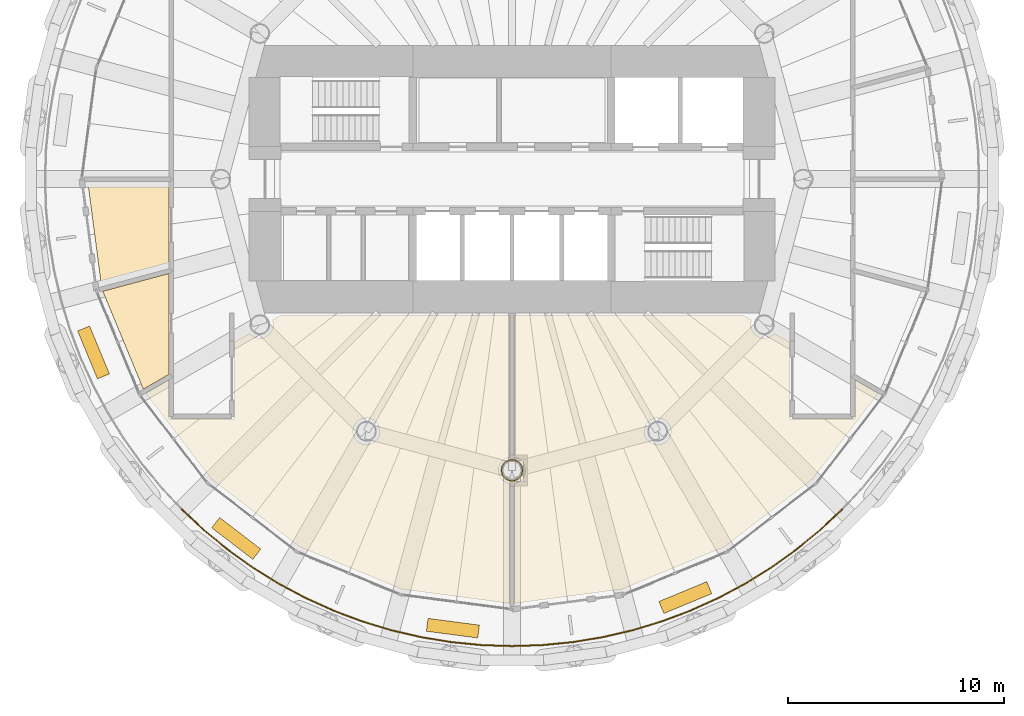
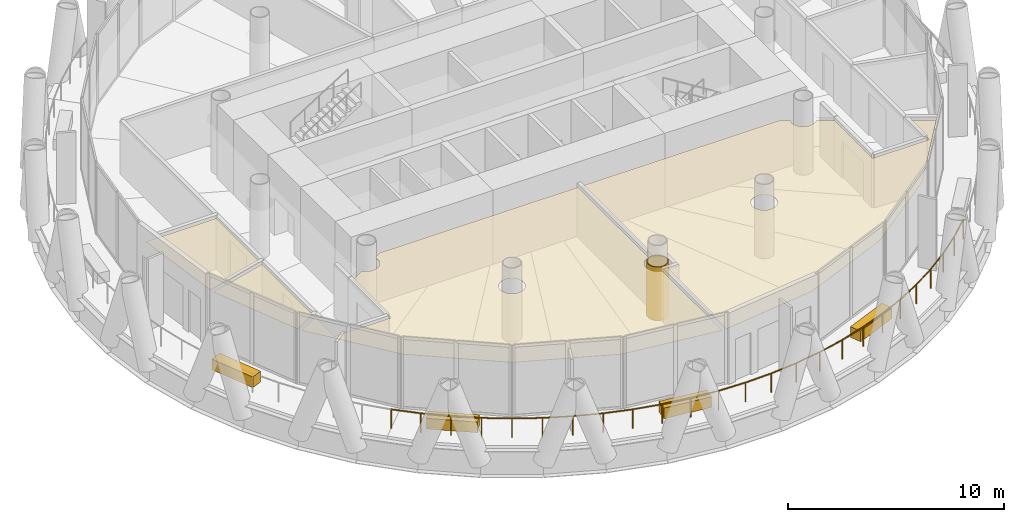
# One storey, part 12 of 14: 9 coverings, 1 railing.
"""IFC4 building model written with IfcOpenShell, lengths in metres."""

from ifc_helpers import new_model, si_unit, direction, frame, origin, origin_2d, place, context, subcontext, project, spatial, polyline, rectangle, circle, outline, extrude, material, layer, layer_set, type_object, element, save


model = new_model("IFC4")

# Units and contexts
model_context = context("Model", 3, precision=1e-05, world=origin(), true_north=direction((0.0, 1.0)))
body_context = subcontext(model_context, "Body", "Model", "MODEL_VIEW")
ifc_project = project(units=[si_unit("LENGTHUNIT", "METRE"), si_unit("AREAUNIT", "SQUARE_METRE"), si_unit("VOLUMEUNIT", "CUBIC_METRE"), si_unit("PLANEANGLEUNIT", "RADIAN"), si_unit("MASSUNIT", "GRAM", prefix="KILO")], contexts=[model_context])

# Site, building, storey
site_placement = place(None, origin())
site = spatial("IfcSite", under=ifc_project, at=site_placement, CompositionType="ELEMENT")
building_placement = place(site_placement, origin())
building = spatial("IfcBuilding", under=site, at=building_placement, Name="Qaws Media Tower", CompositionType="ELEMENT")
storey_placement = place(building_placement, frame((0.0, 0.0, 248.60009765625)))
storey = spatial("IfcBuildingStorey", under=building, at=storey_placement, Name="L57", CompositionType="ELEMENT", Elevation=248.60009765625)

# Railing
ifc_material_1 = material(Name="Stainless steel and glass guard", Category="steel")
railing_type = type_object("IfcRailingType", Name="Balcony guard 1100", PredefinedType="GUARDRAIL", material=ifc_material_1)
railing_placement = place(storey_placement, frame((44.691162109375, 34.691162109375, 0.0)))
element("IfcRailing", 1, at=railing_placement, inside=storey, type_object=railing_type, Name="GR1 balcony guard L57-3", PredefinedType="GUARDRAIL", context=body_context, shape_type="SweptSolid", body=[
    extrude(circle(Radius=0.02392578125, at=origin_2d()), frame((0.0, 0.0, 1.076171875), z_axis=(0.729821970773, -0.683637251017, 0.0), x_axis=(0.683637251017, 0.729821970773, 0.0)), (0.0, 0.0, 1.0), 1.416748046875),
    extrude(circle(Radius=0.02392578125, at=origin_2d()), frame((1.033935546875, -0.968505859375, 1.076171875), z_axis=(0.773058202791, -0.634335096851, 0.0), x_axis=(0.634335096851, 0.773058202791, 0.0)), (0.0, 0.0, 1.0), 1.416748046875),
    extrude(circle(Radius=0.02392578125, at=origin_2d()), frame((2.129150390625, -1.8671875, 1.076171875), z_axis=(0.812859281779, -0.582460117111, 0.0), x_axis=(0.582460117111, 0.812859281779, 0.0)), (0.0, 0.0, 1.0), 1.416748046875),
    extrude(circle(Radius=0.02392578125, at=origin_2d()), frame((3.28076171875, -2.6923828125, 1.076171875), z_axis=(0.849157927027, -0.528139011026, 0.0), x_axis=(0.528139011026, 0.849157927027, 0.0)), (0.0, 0.0, 1.0), 1.416748046875),
    extrude(circle(Radius=0.02392578125, at=origin_2d()), frame((4.48388671875, -3.440673828125, 1.076171875), z_axis=(0.881966251101, -0.471312562869, 0.0), x_axis=(0.471312562869, 0.881966251101, 0.0)), (0.0, 0.0, 1.0), 1.416748046875),
    extrude(circle(Radius=0.02392578125, at=origin_2d()), frame((5.7333984375, -4.1083984375, 1.076171875), z_axis=(0.910838060155, -0.412763889134, 0.0), x_axis=(0.412763889134, 0.910838060155, 0.0)), (0.0, 0.0, 1.0), 1.41650390625),
    extrude(circle(Radius=0.02392578125, at=origin_2d()), frame((7.023681640625, -4.693115234375, 1.076171875), z_axis=(0.935910679423, -0.352237420133, 0.0), x_axis=(0.352237420133, 0.935910679423, 0.0)), (0.0, 0.0, 1.0), 1.416748046875),
    extrude(circle(Radius=0.02392578125, at=origin_2d()), frame((8.349609375, -5.192138671875, 1.076171875), z_axis=(0.95691563825, -0.290366081479, 0.0), x_axis=(0.290366081479, 0.95691563825, 0.0)), (0.0, 0.0, 1.0), 1.416748046875),
    extrude(circle(Radius=0.02392578125, at=origin_2d()), frame((9.705322265625, -5.603515625, 1.076171875), z_axis=(0.97390979977, -0.22693545759, 0.0), x_axis=(0.22693545759, 0.97390979977, 0.0)), (0.0, 0.0, 1.0), 1.416748046875),
    extrude(circle(Radius=0.02392578125, at=origin_2d()), frame((11.085205078125, -5.925048828125, 1.076171875), z_axis=(0.986621201515, -0.163029459674, 0.0), x_axis=(0.163029459674, 0.986621201515, 0.0)), (0.0, 0.0, 1.0), 1.416748046875),
    extrude(circle(Radius=0.02392578125, at=origin_2d()), frame((12.48291015625, -6.156005859375, 1.076171875), z_axis=(0.995181159943, -0.098053347187, 0.0), x_axis=(0.098053347187, 0.995181159943, 0.0)), (0.0, 0.0, 1.0), 1.416748046875),
    extrude(circle(Radius=0.02392578125, at=origin_2d()), frame((13.892822265625, -6.294921875, 1.076171875), z_axis=(0.999469492017, -0.032568919654, 0.0), x_axis=(0.032568919654, 0.999469492017, 0.0)), (0.0, 0.0, 1.0), 1.416748046875),
    extrude(circle(Radius=0.02392578125, at=origin_2d()), frame((15.308837890625, -6.341064453125, 1.076171875), z_axis=(0.999469492017, 0.032568919654, 0.0), x_axis=(-0.032568919654, 0.999469492017, 0.0)), (0.0, 0.0, 1.0), 1.416748046875),
    extrude(circle(Radius=0.02392578125, at=origin_2d()), frame((16.724853515625, -6.294921875, 1.076171875), z_axis=(0.995181159943, 0.098053347187, 0.0), x_axis=(-0.098053347187, 0.995181159943, 0.0)), (0.0, 0.0, 1.0), 1.416748046875),
    extrude(circle(Radius=0.02392578125, at=origin_2d()), frame((18.134765625, -6.156005859375, 1.076171875), z_axis=(0.986621201515, 0.163029459674, 0.0), x_axis=(-0.163029459674, 0.986621201515, 0.0)), (0.0, 0.0, 1.0), 1.416748046875),
    extrude(circle(Radius=0.02392578125, at=origin_2d()), frame((19.532470703125, -5.925048828125, 1.076171875), z_axis=(0.97390979977, 0.22693545759, 0.0), x_axis=(-0.22693545759, 0.97390979977, 0.0)), (0.0, 0.0, 1.0), 1.416748046875),
    extrude(circle(Radius=0.02392578125, at=origin_2d()), frame((20.912353515625, -5.603515625, 1.076171875), z_axis=(0.95691563825, 0.290366081479, 0.0), x_axis=(-0.290366081479, 0.95691563825, 0.0)), (0.0, 0.0, 1.0), 1.416748046875),
    extrude(circle(Radius=0.02392578125, at=origin_2d()), frame((22.26806640625, -5.192138671875, 1.076171875), z_axis=(0.935910679423, 0.352237420133, 0.0), x_axis=(-0.352237420133, 0.935910679423, 0.0)), (0.0, 0.0, 1.0), 1.416748046875),
    extrude(circle(Radius=0.02392578125, at=origin_2d()), frame((23.593994140625, -4.693115234375, 1.076171875), z_axis=(0.910838060155, 0.412763889134, 0.0), x_axis=(-0.412763889134, 0.910838060155, 0.0)), (0.0, 0.0, 1.0), 1.41650390625),
    extrude(circle(Radius=0.02392578125, at=origin_2d()), frame((24.88427734375, -4.1083984375, 1.076171875), z_axis=(0.881966251101, 0.471312562869, 0.0), x_axis=(-0.471312562869, 0.881966251101, 0.0)), (0.0, 0.0, 1.0), 1.416748046875),
    extrude(circle(Radius=0.02392578125, at=origin_2d()), frame((26.1337890625, -3.440673828125, 1.076171875), z_axis=(0.849157927027, 0.528139011026, 0.0), x_axis=(-0.528139011026, 0.849157927027, 0.0)), (0.0, 0.0, 1.0), 1.416748046875),
    extrude(circle(Radius=0.02392578125, at=origin_2d()), frame((27.3369140625, -2.6923828125, 1.076171875), z_axis=(0.812859281779, 0.582460117111, 0.0), x_axis=(-0.582460117111, 0.812859281779, 0.0)), (0.0, 0.0, 1.0), 1.416748046875),
    extrude(circle(Radius=0.02392578125, at=origin_2d()), frame((28.488525390625, -1.8671875, 1.076171875), z_axis=(0.773058202791, 0.634335096851, 0.0), x_axis=(-0.634335096851, 0.773058202791, 0.0)), (0.0, 0.0, 1.0), 1.416748046875),
    extrude(circle(Radius=0.02392578125, at=origin_2d()), frame((29.583740234375, -0.968505859375, 1.076171875), z_axis=(0.729821970773, 0.683637251017, 0.0), x_axis=(-0.683637251017, 0.729821970773, 0.0)), (0.0, 0.0, 1.0), 1.416748046875),
    extrude(circle(Radius=0.02099609375, at=origin_2d()), origin(), (0.0, 0.0, 1.0), 1.052001953125),
    extrude(circle(Radius=0.02099609375, at=origin_2d()), frame((1.033935546875, -0.968505859375, 0.0)), (0.0, 0.0, 1.0), 1.052001953125),
    extrude(circle(Radius=0.02099609375, at=origin_2d()), frame((2.129150390625, -1.8671875, 0.0)), (0.0, 0.0, 1.0), 1.052001953125),
    extrude(circle(Radius=0.02099609375, at=origin_2d()), frame((3.28076171875, -2.6923828125, 0.0)), (0.0, 0.0, 1.0), 1.052001953125),
    extrude(circle(Radius=0.02099609375, at=origin_2d()), frame((4.48388671875, -3.440673828125, 0.0)), (0.0, 0.0, 1.0), 1.052001953125),
    extrude(circle(Radius=0.02099609375, at=origin_2d()), frame((5.7333984375, -4.1083984375, 0.0)), (0.0, 0.0, 1.0), 1.052001953125),
    extrude(circle(Radius=0.02099609375, at=origin_2d()), frame((7.023681640625, -4.693115234375, 0.0)), (0.0, 0.0, 1.0), 1.052001953125),
    extrude(circle(Radius=0.02099609375, at=origin_2d()), frame((8.349609375, -5.192138671875, 0.0)), (0.0, 0.0, 1.0), 1.052001953125),
    extrude(circle(Radius=0.02099609375, at=origin_2d()), frame((9.705322265625, -5.603515625, 0.0)), (0.0, 0.0, 1.0), 1.052001953125),
    extrude(circle(Radius=0.02099609375, at=origin_2d()), frame((11.085205078125, -5.925048828125, 0.0)), (0.0, 0.0, 1.0), 1.052001953125),
    extrude(circle(Radius=0.02099609375, at=origin_2d()), frame((12.48291015625, -6.156005859375, 0.0)), (0.0, 0.0, 1.0), 1.052001953125),
    extrude(circle(Radius=0.02099609375, at=origin_2d()), frame((13.892822265625, -6.294921875, 0.0)), (0.0, 0.0, 1.0), 1.052001953125),
    extrude(circle(Radius=0.02099609375, at=origin_2d()), frame((15.308837890625, -6.341064453125, 0.0)), (0.0, 0.0, 1.0), 1.052001953125),
    extrude(circle(Radius=0.02099609375, at=origin_2d()), frame((16.724853515625, -6.294921875, 0.0)), (0.0, 0.0, 1.0), 1.052001953125),
    extrude(circle(Radius=0.02099609375, at=origin_2d()), frame((18.134765625, -6.156005859375, 0.0)), (0.0, 0.0, 1.0), 1.052001953125),
    extrude(circle(Radius=0.02099609375, at=origin_2d()), frame((19.532470703125, -5.925048828125, 0.0)), (0.0, 0.0, 1.0), 1.052001953125),
    extrude(circle(Radius=0.02099609375, at=origin_2d()), frame((20.912353515625, -5.603515625, 0.0)), (0.0, 0.0, 1.0), 1.052001953125),
    extrude(circle(Radius=0.02099609375, at=origin_2d()), frame((22.26806640625, -5.192138671875, 0.0)), (0.0, 0.0, 1.0), 1.052001953125),
    extrude(circle(Radius=0.02099609375, at=origin_2d()), frame((23.593994140625, -4.693115234375, 0.0)), (0.0, 0.0, 1.0), 1.052001953125),
    extrude(circle(Radius=0.02099609375, at=origin_2d()), frame((24.88427734375, -4.1083984375, 0.0)), (0.0, 0.0, 1.0), 1.052001953125),
    extrude(circle(Radius=0.02099609375, at=origin_2d()), frame((26.1337890625, -3.440673828125, 0.0)), (0.0, 0.0, 1.0), 1.052001953125),
    extrude(circle(Radius=0.02099609375, at=origin_2d()), frame((27.3369140625, -2.6923828125, 0.0)), (0.0, 0.0, 1.0), 1.052001953125),
    extrude(circle(Radius=0.02099609375, at=origin_2d()), frame((28.488525390625, -1.8671875, 0.0)), (0.0, 0.0, 1.0), 1.052001953125),
    extrude(circle(Radius=0.02099609375, at=origin_2d()), frame((29.583740234375, -0.968505859375, 0.0)), (0.0, 0.0, 1.0), 1.052001953125),
    extrude(circle(Radius=0.02099609375, at=origin_2d()), frame((30.61767578125, 0.0, 0.0)), (0.0, 0.0, 1.0), 1.052001953125),
])

# Coverings
ifc_material_2 = material(Name="Two layers 15 fire-rated gypsum board on steel framing", Category="steel")
ifc_layer_1 = layer(ifc_material_2, 0.050048828125)
ifc_layer_set_1 = layer_set([ifc_layer_1], Name="Column fire casing")
covering_type_1 = type_object("IfcCoveringType", Name="Column fire casing", PredefinedType="CLADDING", material=ifc_layer_set_1)
covering_1_placement = place(storey_placement, origin())
element("IfcCovering", 2, at=covering_1_placement, inside=storey, type_object=covering_type_1, Name="CC1 column casing L57", PredefinedType="CLADDING", context=body_context, shape_type="SweptSolid", body=[
    extrude(outline(polyline([(60.511962890625, 36.5), (60.507568359375, 36.43310546875), (60.49462890625, 36.367431640625), (60.472900390625, 36.30419921875), (60.443359375, 36.243896484375), (60.40625, 36.188232421875), (60.362060546875, 36.137939453125), (60.311767578125, 36.09375), (60.256103515625, 36.056640625), (60.19580078125, 36.027099609375), (60.132568359375, 36.00537109375), (60.06689453125, 35.992431640625), (60.0, 35.988037109375), (59.93310546875, 35.992431640625), (59.867431640625, 36.00537109375), (59.80419921875, 36.027099609375), (59.743896484375, 36.056640625), (59.688232421875, 36.09375), (59.637939453125, 36.137939453125), (59.59375, 36.188232421875), (59.556640625, 36.243896484375), (59.527099609375, 36.30419921875), (59.50537109375, 36.367431640625), (59.492431640625, 36.43310546875), (59.488037109375, 36.5), (59.492431640625, 36.56689453125), (59.50537109375, 36.632568359375), (59.527099609375, 36.69580078125), (59.556640625, 36.756103515625), (59.59375, 36.811767578125), (59.637939453125, 36.862060546875), (59.688232421875, 36.90625), (59.743896484375, 36.943359375), (59.80419921875, 36.972900390625), (59.867431640625, 36.99462890625), (59.93310546875, 37.007568359375), (60.0, 37.011962890625), (60.06689453125, 37.007568359375), (60.132568359375, 36.99462890625), (60.19580078125, 36.972900390625), (60.256103515625, 36.943359375), (60.311767578125, 36.90625), (60.362060546875, 36.862060546875), (60.40625, 36.811767578125), (60.443359375, 36.756103515625), (60.472900390625, 36.69580078125), (60.49462890625, 36.632568359375), (60.507568359375, 36.56689453125), (60.511962890625, 36.5)]), holes=[polyline([(60.4599609375, 36.5), (60.4560546875, 36.43994140625), (60.4443359375, 36.380859375), (60.425048828125, 36.323974609375), (60.3984375, 36.27001953125), (60.364990234375, 36.219970703125), (60.3251953125, 36.1748046875), (60.280029296875, 36.135009765625), (60.22998046875, 36.1015625), (60.176025390625, 36.074951171875), (60.119140625, 36.0556640625), (60.06005859375, 36.0439453125), (60.0, 36.0400390625), (59.93994140625, 36.0439453125), (59.880859375, 36.0556640625), (59.823974609375, 36.074951171875), (59.77001953125, 36.1015625), (59.719970703125, 36.135009765625), (59.6748046875, 36.1748046875), (59.635009765625, 36.219970703125), (59.6015625, 36.27001953125), (59.574951171875, 36.323974609375), (59.5556640625, 36.380859375), (59.5439453125, 36.43994140625), (59.5400390625, 36.5), (59.5439453125, 36.56005859375), (59.5556640625, 36.619140625), (59.574951171875, 36.676025390625), (59.6015625, 36.72998046875), (59.635009765625, 36.780029296875), (59.6748046875, 36.8251953125), (59.719970703125, 36.864990234375), (59.77001953125, 36.8984375), (59.823974609375, 36.925048828125), (59.880859375, 36.9443359375), (59.93994140625, 36.9560546875), (60.0, 36.9599609375), (60.06005859375, 36.9560546875), (60.119140625, 36.9443359375), (60.176025390625, 36.925048828125), (60.22998046875, 36.8984375), (60.280029296875, 36.864990234375), (60.3251953125, 36.8251953125), (60.364990234375, 36.780029296875), (60.3984375, 36.72998046875), (60.425048828125, 36.676025390625), (60.4443359375, 36.619140625), (60.4560546875, 36.56005859375), (60.4599609375, 36.5)])]), origin(), (0.0, 0.0, 1.0), 3.02001953125),
])
ifc_material_3 = material(Name="600 x 600 mineral fibre tiles in exposed grid, suspended", Category="mineral fibre")
ifc_layer_2 = layer(ifc_material_3, 0.02001953125)
ifc_layer_set_2 = layer_set([ifc_layer_2], Name="Mineral fibre tile ceiling 20")
covering_type_2 = type_object("IfcCoveringType", Name="Mineral fibre tile ceiling 20", PredefinedType="CEILING", material=ifc_layer_set_2)
covering_2_placement = place(storey_placement, frame((0.0, 0.0, 2.849853515625)))
element("IfcCovering", 3, at=covering_2_placement, inside=storey, type_object=covering_type_2, Name="CL1 ceiling L57-08 Office", PredefinedType="CEILING", context=body_context, shape_type="SweptSolid", body=[
    extrude(outline(polyline([(41.02880859375, 44.80029296875), (44.08740234375, 45.619873046875), (44.08740234375, 40.94287109375), (42.90869140625, 40.26220703125), (41.02880859375, 44.80029296875)])), origin(), (0.0, 0.0, 1.0), 0.02001953125),
])
covering_3_placement = place(storey_placement, frame((0.0, 0.0, 2.849853515625)))
element("IfcCovering", 4, at=covering_3_placement, inside=storey, type_object=covering_type_2, Name="CL1 ceiling L57-09 Tenant office", PredefinedType="CEILING", context=body_context, shape_type="SweptSolid", body=[
    extrude(outline(polyline([(54.905029296875, 30.985595703125), (50.157470703125, 32.9521484375), (46.080322265625, 36.080322265625), (43.021240234375, 40.0673828125), (44.08740234375, 40.68310546875), (44.08740234375, 38.887451171875), (47.112548828125, 38.887451171875), (47.112548828125, 42.429443359375), (47.840576171875, 42.849853515625), (47.872314453125, 42.813720703125), (47.93310546875, 42.760498046875), (48.000244140625, 42.7158203125), (48.072509765625, 42.679931640625), (48.14892578125, 42.654052734375), (48.22802734375, 42.63818359375), (48.30859375, 42.633056640625), (48.38916015625, 42.63818359375), (48.46826171875, 42.654052734375), (48.544921875, 42.679931640625), (48.6171875, 42.7158203125), (48.684326171875, 42.760498046875), (48.744873046875, 42.813720703125), (48.798095703125, 42.87451171875), (48.843017578125, 42.94140625), (48.878662109375, 43.013916015625), (48.904541015625, 43.09033203125), (48.92041015625, 43.16943359375), (48.92578125, 43.25), (48.92041015625, 43.33056640625), (48.904541015625, 43.40966796875), (48.88916015625, 43.455322265625), (49.29150390625, 43.6875), (59.887451171875, 43.6875), (59.887451171875, 37.10546875), (59.84033203125, 37.095947265625), (59.763916015625, 37.070068359375), (59.69140625, 37.0341796875), (59.62451171875, 36.989501953125), (59.563720703125, 36.936279296875), (59.510498046875, 36.87548828125), (59.4658203125, 36.80859375), (59.429931640625, 36.736083984375), (59.404052734375, 36.65966796875), (59.38818359375, 36.58056640625), (59.383056640625, 36.5), (59.38818359375, 36.41943359375), (59.404052734375, 36.34033203125), (59.429931640625, 36.263916015625), (59.4658203125, 36.19140625), (59.510498046875, 36.12451171875), (59.563720703125, 36.063720703125), (59.62451171875, 36.010498046875), (59.69140625, 35.9658203125), (59.763916015625, 35.929931640625), (59.84033203125, 35.904052734375), (59.887451171875, 35.89453125), (59.887451171875, 30.32958984375), (54.905029296875, 30.985595703125)]), holes=[polyline([(53.845947265625, 38.14892578125), (53.86181640625, 38.22802734375), (53.866943359375, 38.30859375), (53.86181640625, 38.38916015625), (53.845947265625, 38.46826171875), (53.820068359375, 38.544921875), (53.7841796875, 38.6171875), (53.739501953125, 38.684326171875), (53.686279296875, 38.744873046875), (53.62548828125, 38.798095703125), (53.55859375, 38.843017578125), (53.486083984375, 38.878662109375), (53.40966796875, 38.904541015625), (53.33056640625, 38.92041015625), (53.25, 38.92578125), (53.16943359375, 38.92041015625), (53.09033203125, 38.904541015625), (53.013916015625, 38.878662109375), (52.94140625, 38.843017578125), (52.87451171875, 38.798095703125), (52.813720703125, 38.744873046875), (52.760498046875, 38.684326171875), (52.7158203125, 38.6171875), (52.679931640625, 38.544921875), (52.654052734375, 38.46826171875), (52.63818359375, 38.38916015625), (52.633056640625, 38.30859375), (52.63818359375, 38.22802734375), (52.654052734375, 38.14892578125), (52.679931640625, 38.072509765625), (52.7158203125, 38.000244140625), (52.760498046875, 37.93310546875), (52.813720703125, 37.872314453125), (52.87451171875, 37.819091796875), (52.94140625, 37.7744140625), (53.013916015625, 37.738525390625), (53.09033203125, 37.712646484375), (53.16943359375, 37.697021484375), (53.25, 37.691650390625), (53.33056640625, 37.697021484375), (53.40966796875, 37.712646484375), (53.486083984375, 37.738525390625), (53.55859375, 37.7744140625), (53.62548828125, 37.819091796875), (53.686279296875, 37.872314453125), (53.739501953125, 37.93310546875), (53.7841796875, 38.000244140625), (53.820068359375, 38.072509765625), (53.845947265625, 38.14892578125)])]), origin(), (0.0, 0.0, 1.0), 0.02001953125),
])
covering_4_placement = place(storey_placement, frame((0.0, 0.0, 2.849853515625)))
element("IfcCovering", 5, at=covering_4_placement, inside=storey, type_object=covering_type_2, Name="CL1 ceiling L57-10 Tenant office", PredefinedType="CEILING", context=body_context, shape_type="SweptSolid", body=[
    extrude(outline(polyline([(72.887451171875, 38.887451171875), (75.91259765625, 38.887451171875), (75.91259765625, 40.68310546875), (76.978759765625, 40.0673828125), (73.919677734375, 36.080322265625), (69.842529296875, 32.9521484375), (65.094970703125, 30.985595703125), (60.112548828125, 30.32958984375), (60.112548828125, 35.89453125), (60.15966796875, 35.904052734375), (60.236083984375, 35.929931640625), (60.30859375, 35.9658203125), (60.37548828125, 36.010498046875), (60.436279296875, 36.063720703125), (60.489501953125, 36.12451171875), (60.5341796875, 36.19140625), (60.570068359375, 36.263916015625), (60.595947265625, 36.34033203125), (60.61181640625, 36.41943359375), (60.616943359375, 36.5), (60.61181640625, 36.58056640625), (60.595947265625, 36.65966796875), (60.570068359375, 36.736083984375), (60.5341796875, 36.80859375), (60.489501953125, 36.87548828125), (60.436279296875, 36.936279296875), (60.37548828125, 36.989501953125), (60.30859375, 37.0341796875), (60.236083984375, 37.070068359375), (60.15966796875, 37.095947265625), (60.112548828125, 37.10546875), (60.112548828125, 43.6875), (70.70849609375, 43.6875), (71.11083984375, 43.455322265625), (71.095458984375, 43.40966796875), (71.07958984375, 43.33056640625), (71.07421875, 43.25), (71.07958984375, 43.16943359375), (71.095458984375, 43.09033203125), (71.121337890625, 43.013916015625), (71.156982421875, 42.94140625), (71.201904296875, 42.87451171875), (71.255126953125, 42.813720703125), (71.315673828125, 42.760498046875), (71.3828125, 42.7158203125), (71.455078125, 42.679931640625), (71.53173828125, 42.654052734375), (71.61083984375, 42.63818359375), (71.69140625, 42.633056640625), (71.77197265625, 42.63818359375), (71.85107421875, 42.654052734375), (71.927490234375, 42.679931640625), (71.999755859375, 42.7158203125), (72.06689453125, 42.760498046875), (72.127685546875, 42.813720703125), (72.159423828125, 42.849853515625), (72.887451171875, 42.429443359375), (72.887451171875, 38.887451171875)]), holes=[polyline([(67.320068359375, 38.072509765625), (67.345947265625, 38.14892578125), (67.36181640625, 38.22802734375), (67.366943359375, 38.30859375), (67.36181640625, 38.38916015625), (67.345947265625, 38.46826171875), (67.320068359375, 38.544921875), (67.2841796875, 38.6171875), (67.239501953125, 38.684326171875), (67.186279296875, 38.744873046875), (67.12548828125, 38.798095703125), (67.05859375, 38.843017578125), (66.986083984375, 38.878662109375), (66.90966796875, 38.904541015625), (66.83056640625, 38.92041015625), (66.75, 38.92578125), (66.66943359375, 38.92041015625), (66.59033203125, 38.904541015625), (66.513916015625, 38.878662109375), (66.44140625, 38.843017578125), (66.37451171875, 38.798095703125), (66.313720703125, 38.744873046875), (66.260498046875, 38.684326171875), (66.2158203125, 38.6171875), (66.179931640625, 38.544921875), (66.154052734375, 38.46826171875), (66.13818359375, 38.38916015625), (66.133056640625, 38.30859375), (66.13818359375, 38.22802734375), (66.154052734375, 38.14892578125), (66.179931640625, 38.072509765625), (66.2158203125, 38.000244140625), (66.260498046875, 37.93310546875), (66.313720703125, 37.872314453125), (66.37451171875, 37.819091796875), (66.44140625, 37.7744140625), (66.513916015625, 37.738525390625), (66.59033203125, 37.712646484375), (66.66943359375, 37.697021484375), (66.75, 37.691650390625), (66.83056640625, 37.697021484375), (66.90966796875, 37.712646484375), (66.986083984375, 37.738525390625), (67.05859375, 37.7744140625), (67.12548828125, 37.819091796875), (67.186279296875, 37.872314453125), (67.239501953125, 37.93310546875), (67.2841796875, 38.000244140625), (67.320068359375, 38.072509765625)])]), origin(), (0.0, 0.0, 1.0), 0.02001953125),
])
ifc_material_4 = material(Name="Precast concrete planter with trailing planting", Category="concrete")
ifc_layer_3 = layer(ifc_material_4, 0.60009765625)
ifc_layer_set_3 = layer_set([ifc_layer_3], Name="Planter 2400x600")
covering_type_3 = type_object("IfcCoveringType", Name="Planter 2400x600", PredefinedType="USERDEFINED", material=ifc_layer_set_3)
for number, where, z_axis, x_axis, name in (
    (6, (40.5986328125, 41.963623046875, -0.000244140625), (0.0, 0.0, 1.0), (0.382683432365, -0.923879532511, 0.0), "PL1 balcony planter L57-07"),
    (7, (47.216064453125, 33.339599609375, -0.000244140625), (0.0, 0.0, 1.0), (0.793353340291, -0.608761429009, 0.0), "PL1 balcony planter L57-08"),
    (8, (57.259033203125, 29.1796875, -0.000244140625), (0.0, 0.0, 1.0), (0.991444861374, -0.13052619222, 0.0), "PL1 balcony planter L57-09"),
    (9, (68.036376953125, 30.5986328125, -0.000244140625), (0.0, 0.0, 1.0), (0.923879532511, 0.382683432365, 0.0), "PL1 balcony planter L57-10"),
):
    element("IfcCovering", number, at=place(storey_placement, frame(where, z_axis=z_axis, x_axis=x_axis)), inside=storey, type_object=covering_type_3, Name=name, ObjectType="PLANTER", PredefinedType="USERDEFINED", context=body_context, shape_type="SweptSolid", body=[
        extrude(rectangle(XDim=2.39990234375, YDim=0.60009765625, at=origin_2d()), origin(), (0.0, 0.0, 1.0), 0.60009765625),
    ])
ifc_material_5 = material(Name="Two layers 12.5 moisture-resistant plasterboard on suspended metal furring", Category="gypsum")
ifc_layer_4 = layer(ifc_material_5, 0.02490234375)
ifc_layer_set_4 = layer_set([ifc_layer_4], Name="Plasterboard ceiling 25")
covering_type_4 = type_object("IfcCoveringType", Name="Plasterboard ceiling 25", PredefinedType="CEILING", material=ifc_layer_set_4)
covering_5_placement = place(storey_placement, frame((0.0, 0.0, 2.849853515625)))
element("IfcCovering", 10, at=covering_5_placement, inside=storey, type_object=covering_type_4, Name="CL2 ceiling L57-07 Tenant reception", PredefinedType="CEILING", context=body_context, shape_type="SweptSolid", body=[
    extrude(outline(polyline([(40.32958984375, 49.887451171875), (44.08740234375, 49.887451171875), (44.08740234375, 45.852783203125), (40.970703125, 45.017578125), (40.32958984375, 49.887451171875)])), origin(), (0.0, 0.0, 1.0), 0.025146484375),
])

save(model, "model.ifc")
